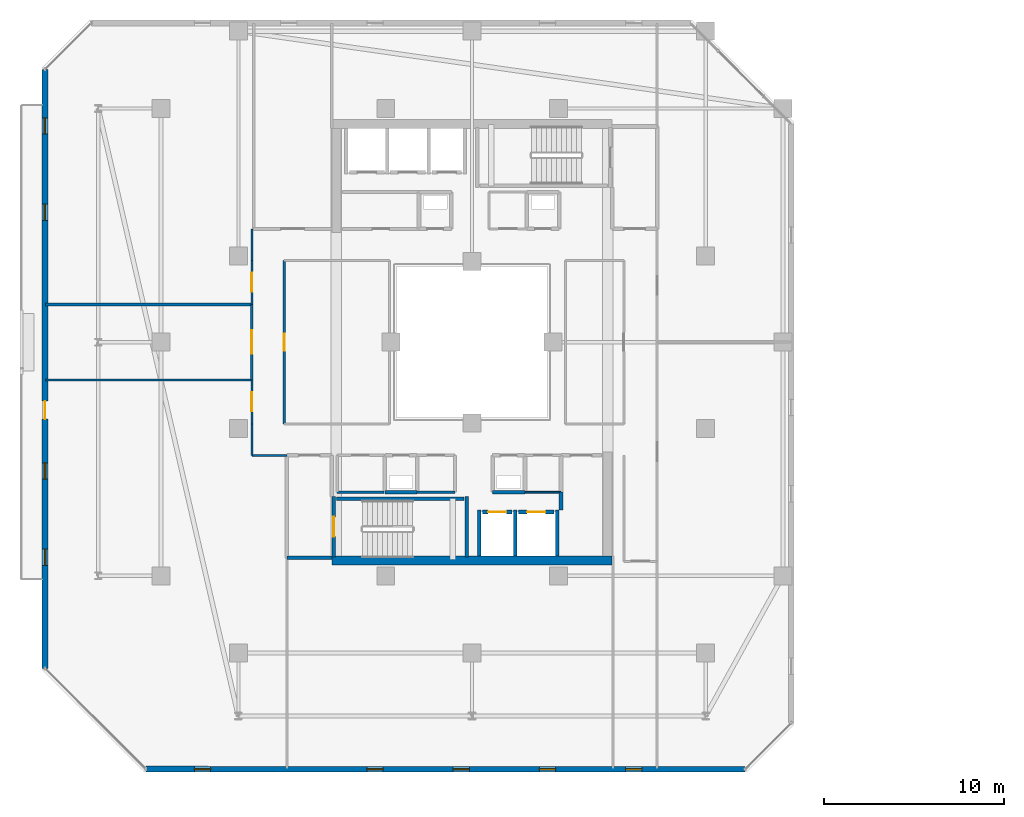
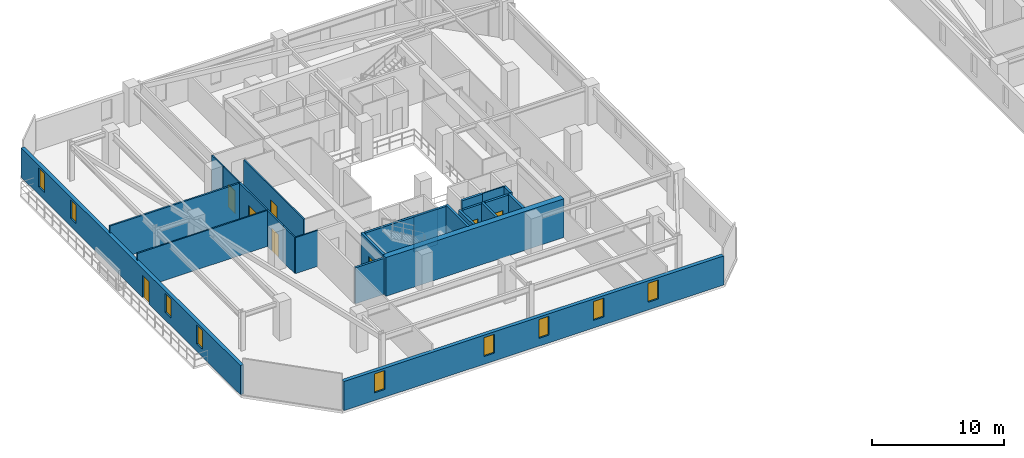
# One storey, part 18 of 31: 27 walls, 9 windows, 8 doors, 17 openings.
"""IFC4 building model written with IfcOpenShell, lengths in metres."""

import ifcopenshell
import ifcopenshell.guid

model = None  # the IFC model being written
_history = None  # IfcOwnerHistory: only IFC2X3 demands one
_inside = {}  # id of a spatial element -> (the spatial element, [elements in it])
_under = {}  # id of a project, library or spatial element -> (it, [spatial elements below it])
_declared = {}  # id of a project -> (the project, [libraries it declares])
_typed = {}  # id of a type object -> (the type object, [elements of that type])
_made_of = {}  # id of a material, layer set ... -> (it, [elements and type objects made of it])


def new_model(schema):
    """Start an empty IFC model of exactly this schema.

    Asked for "IFC4X3", IfcOpenShell would pick the latest addendum, in which some entities
    have other attributes; the version numbers below select the first issue.
    IFC2X3 requires an IfcOwnerHistory on every rooted entity: one is made here for all.
    """
    global model, _history
    if schema == "IFC4X3":
        model = ifcopenshell.file(schema_version=(4, 3, 0, 0))
    else:
        model = ifcopenshell.file(schema=schema)
    _inside.clear()
    _under.clear()
    _declared.clear()
    _typed.clear()
    _made_of.clear()
    _history = None
    if model.schema == "IFC2X3":
        org = make("IfcOrganization", Name="unknown")
        user = make(
            "IfcPersonAndOrganization",
            ThePerson=make("IfcPerson", FamilyName="unknown"),
            TheOrganization=org,
        )
        app = make(
            "IfcApplication",
            ApplicationDeveloper=org,
            Version="unknown",
            ApplicationFullName="unknown",
            ApplicationIdentifier="unknown",
        )
        _history = make(
            "IfcOwnerHistory",
            OwningUser=user,
            OwningApplication=app,
            ChangeAction="ADDED",
            CreationDate=0,
        )
    return model


def make(cls, **values):
    """One entity of the class cls with the attributes given. An attribute that is None is left unset."""
    return model.create_entity(
        cls, **{name: value for name, value in values.items() if value is not None}
    )


def rooted(cls, **values):
    """An entity with a GlobalId (a new one), such as an element, a storey or a relation."""
    return make(cls, GlobalId=ifcopenshell.guid.new(), OwnerHistory=_history, **values)


def si_unit(unit_type, name, prefix=None):
    """IfcSIUnit, for example si_unit("LENGTHUNIT", "METRE", prefix="MILLI")."""
    return make("IfcSIUnit", UnitType=unit_type, Prefix=prefix, Name=name)


def assignment(units):
    """IfcUnitAssignment: the units of a project."""
    return None if units is None else make("IfcUnitAssignment", Units=units)


def point(xyz):
    """IfcCartesianPoint."""
    return None if xyz is None else make("IfcCartesianPoint", Coordinates=xyz)


def direction(xyz):
    """IfcDirection."""
    return None if xyz is None else make("IfcDirection", DirectionRatios=xyz)


def frame(location, z_axis=None, x_axis=None):
    """IfcAxis2Placement3D, a coordinate frame: its origin and axes. An axis left out is left unset."""
    return make(
        "IfcAxis2Placement3D",
        Location=point(location),
        Axis=direction(z_axis),
        RefDirection=direction(x_axis),
    )


def frame_2d(location, x_axis=None):
    """IfcAxis2Placement2D, a coordinate frame in the plane: its origin and x axis."""
    return make(
        "IfcAxis2Placement2D", Location=point(location), RefDirection=direction(x_axis)
    )


def origin():
    """The frame at (0, 0, 0) with its axes left unset."""
    return frame((0.0, 0.0, 0.0))


def place(relative_to, where):
    """IfcLocalPlacement: puts the frame where relative to a parent placement (None: the world)."""
    return make(
        "IfcLocalPlacement", PlacementRelTo=relative_to, RelativePlacement=where
    )


def context(
    kind, dimensions, precision=None, world=None, true_north=None, identifier=None
):
    """IfcGeometricRepresentationContext, for example the 3D "Model" context."""
    return make(
        "IfcGeometricRepresentationContext",
        ContextIdentifier=identifier,
        ContextType=kind,
        CoordinateSpaceDimension=dimensions,
        Precision=precision,
        WorldCoordinateSystem=world,
        TrueNorth=true_north,
    )


def subcontext(parent, identifier, kind, view, scale=None):
    """IfcGeometricRepresentationSubContext, for example "Body" below "Model"."""
    return make(
        "IfcGeometricRepresentationSubContext",
        ContextIdentifier=identifier,
        ContextType=kind,
        ParentContext=parent,
        TargetScale=scale,
        TargetView=view,
    )


def project(units=None, contexts=None):
    """IfcProject with its units and contexts."""
    return rooted(
        "IfcProject",
        Name="project",
        RepresentationContexts=contexts,
        UnitsInContext=assignment(units),
    )


def spatial(cls, under=None, at=None, **own):
    """A site, building, storey or space (cls), placed at a placement, below another one or the project."""
    s = rooted(cls, ObjectPlacement=at, **own)
    if under is not None:
        _under.setdefault(under.id(), (under, []))[1].append(s)
    return s


def profile(cls, at=None, kind="AREA", **sizes):
    """A parametric profile (cls). Its sizes go by their IFC names, for example OverallWidth=200.0."""
    return make(cls, ProfileType=kind, Position=at, **sizes)


def rectangle(**sizes):
    """IfcRectangleProfileDef."""
    return profile("IfcRectangleProfileDef", **sizes)


def extrude(swept, where, along, depth):
    """IfcExtrudedAreaSolid: the profile swept, set in the frame where, extruded along a direction by depth."""
    return make(
        "IfcExtrudedAreaSolid",
        SweptArea=swept,
        Position=where,
        ExtrudedDirection=direction(along),
        Depth=depth,
    )


def shape(context_of_items, identifier, shape_type, items):
    """IfcShapeRepresentation: the items that make up one representation, for example the "Body"."""
    return make(
        "IfcShapeRepresentation",
        ContextOfItems=context_of_items,
        RepresentationIdentifier=identifier,
        RepresentationType=shape_type,
        Items=items,
    )


def material(Name=None, Category=None):
    """IfcMaterial."""
    return make("IfcMaterial", Name=Name, Category=Category)


def layer(
    of_material, thickness, ventilated=None, Name=None, Category=None, Priority=None
):
    """IfcMaterialLayer: one layer of a wall or slab, of a material (None: an air gap)."""
    return make(
        "IfcMaterialLayer",
        Material=of_material,
        LayerThickness=thickness,
        IsVentilated=ventilated,
        Name=Name,
        Category=Category,
        Priority=Priority,
    )


def layer_set(layers, Name=None):
    """IfcMaterialLayerSet."""
    return make("IfcMaterialLayerSet", MaterialLayers=layers, LayerSetName=Name)


def made_of(thing, what):
    """Note that an element or type object is made of a material, layer set ...; save() writes the relation."""
    if what is not None:
        _made_of.setdefault(what.id(), (what, []))[1].append(thing)
    return thing


def type_object(cls, material=None, **own):
    """A type object (cls), such as IfcWallType, which elements share."""
    return made_of(rooted(cls, **own), material)


def element(
    cls,
    number,
    at=None,
    inside=None,
    cuts=None,
    type_object=None,
    material=None,
    context=None,
    identifier="Body",
    shape_type=None,
    held_by="IfcProductDefinitionShape",
    body=None,
    shapes=None,
    **own,
):
    """One element of the class cls, such as IfcWall. Its Tag is "e" and its number.

    at: its placement. inside: the storey or other place that contains it. cuts: it is an
    opening in that element (IfcRelVoidsElement). A single representation is given by context,
    identifier, shape_type and body (its items); several are given by shapes. held_by: the class
    of the entity that holds the representations. save() writes the other relations.
    """
    e = rooted(cls, Tag="e%d" % number, ObjectPlacement=at, **own)
    if body is not None:
        shapes = [shape(context, identifier, shape_type, body)]
    if shapes is not None:
        e.Representation = make(held_by, Representations=shapes)
    if inside is not None:
        _inside.setdefault(inside.id(), (inside, []))[1].append(e)
    if cuts is not None:
        rooted(
            "IfcRelVoidsElement", RelatingBuildingElement=cuts, RelatedOpeningElement=e
        )
    if type_object is not None:
        _typed.setdefault(type_object.id(), (type_object, []))[1].append(e)
    return made_of(e, material)


def fill(opening, filler):
    """IfcRelFillsElement: the door or window that sits in an opening."""
    return rooted(
        "IfcRelFillsElement",
        RelatingOpeningElement=opening,
        RelatedBuildingElement=filler,
    )


def aggregate(whole, parts):
    """IfcRelAggregates: a whole, such as a stair, and the parts it consists of."""
    return rooted("IfcRelAggregates", RelatingObject=whole, RelatedObjects=parts)


def save(model, path):
    """Write the relations noted so far, then the file.

    IfcRelAggregates (storeys below a building ...), IfcRelContainedInSpatialStructure (elements
    in a storey), IfcRelDefinesByType, IfcRelAssociatesMaterial and IfcRelDeclares: one each for
    every whole, place, type object, material and project.
    """
    for whole, parts in _under.values():
        aggregate(whole, parts)
    for where, things in _inside.values():
        rooted(
            "IfcRelContainedInSpatialStructure",
            RelatedElements=things,
            RelatingStructure=where,
        )
    for kind, things in _typed.values():
        rooted("IfcRelDefinesByType", RelatedObjects=things, RelatingType=kind)
    for what, things in _made_of.values():
        rooted("IfcRelAssociatesMaterial", RelatedObjects=things, RelatingMaterial=what)
    for by, libraries in _declared.values():
        rooted("IfcRelDeclares", RelatingContext=by, RelatedDefinitions=libraries)
    model.write(path)


model = new_model("IFC4")

# Units and contexts
model_context = context("Model", 3, precision=1e-05, world=origin(), true_north=direction((0.0, 1.0)))
body_context = subcontext(model_context, "Body", "Model", "MODEL_VIEW")
ifc_project = project(units=[si_unit("LENGTHUNIT", "METRE"), si_unit("AREAUNIT", "SQUARE_METRE"), si_unit("VOLUMEUNIT", "CUBIC_METRE"), si_unit("PLANEANGLEUNIT", "RADIAN"), si_unit("MASSUNIT", "GRAM", prefix="KILO")], contexts=[model_context])

# Site, building, storey
site_placement = place(None, origin())
site = spatial("IfcSite", under=ifc_project, at=site_placement, CompositionType="ELEMENT")
building_placement = place(site_placement, origin())
building = spatial("IfcBuilding", under=site, at=building_placement, Name="Thornwick Lancets Civic Towers", CompositionType="ELEMENT")
storey_placement = place(building_placement, frame((0.0, 0.0, 236.699951171875)))
storey = spatial("IfcBuildingStorey", under=building, at=storey_placement, Name="L63", CompositionType="ELEMENT", Elevation=236.699951171875)

# Wall, opening, door
ifc_material_1 = material(Name="Concrete blockwork C40/50", Category="masonry")
ifc_layer_1 = layer(ifc_material_1, 0.199951171875, Name="Concrete blockwork C40/50")
ifc_layer_set_1 = layer_set([ifc_layer_1], Name="Concrete blockwork C40/50")
wall_type_1 = type_object("IfcWallType", Name="WALL_COMP_200", PredefinedType="STANDARD", material=ifc_layer_set_1)
wall_1_placement = place(storey_placement, frame((26.080078125, 17.550048828125, 0.0), z_axis=(0.0, 0.0, 1.0), x_axis=(1.0, 0.0, 0.0)))
wall_1 = element("IfcWall", 1, at=wall_1_placement, inside=storey, type_object=wall_type_1, Name="L63 Hoistway Front Wall FL-A1", PredefinedType="STANDARD", context=body_context, shape_type="SweptSolid", body=[
    extrude(rectangle(XDim=1.639892578125, YDim=0.199951171875, at=frame_2d((0.81982421875, 0.0))), origin(), (0.0, 0.0, 1.0), 3.340087890625),
])
opening_1_placement = place(wall_1_placement, frame((0.31005859375, 0.0, 0.0)))
opening_1 = element("IfcOpeningElement", 2, at=opening_1_placement, cuts=wall_1, Name="Opening LD-FL-A1", PredefinedType="OPENING", context=body_context, shape_type="SweptSolid", body=[
    extrude(rectangle(XDim=1.02001953125, YDim=2.06005859375, at=frame_2d((0.510009765625, 1.030029296875))), frame((0.0, 0.10986328125, 0.0), z_axis=(0.0, -1.0, 0.0), x_axis=(1.0, 0.0, 0.0)), (0.0, 0.0, 1.0), 0.219970703125),
])
ifc_material_2 = material(Name="Brushed bronze stainless steel", Category="steel")
door_type_1 = type_object("IfcDoorType", Name="DOOR_LIFT_SLIDE", OperationType="SLIDING_TO_LEFT", PredefinedType="DOOR", material=ifc_material_2)
door_1_placement = place(opening_1_placement, origin())
door_1 = element("IfcDoor", 3, at=door_1_placement, inside=storey, type_object=door_type_1, Name="L63 Sliding Lift Landing Door LD-FL-A1", OperationType="SLIDING_TO_LEFT", OverallHeight=2.06005859375, OverallWidth=1.02001953125, PredefinedType="DOOR", context=body_context, shape_type="SweptSolid", body=[
    extrude(rectangle(XDim=1.02001953125, YDim=2.06005859375, at=frame_2d((0.510009765625, 1.030029296875))), frame((0.0, 0.02490234375, 0.0), z_axis=(0.0, -1.0, 0.0), x_axis=(1.0, 0.0, 0.0)), (0.0, 0.0, 1.0), 0.050048828125),
])
fill(opening_1, door_1)

wall_2_placement = place(storey_placement, frame((28.080078125, 17.550048828125, 0.0), z_axis=(0.0, 0.0, 1.0), x_axis=(1.0, 0.0, 0.0)))
wall_2 = element("IfcWall", 4, at=wall_2_placement, inside=storey, type_object=wall_type_1, Name="L63 Hoistway Front Wall PL-AH1", PredefinedType="STANDARD", context=body_context, shape_type="SweptSolid", body=[
    extrude(rectangle(XDim=1.989990234375, YDim=0.199951171875, at=frame_2d((0.9951171875, 0.0))), origin(), (0.0, 0.0, 1.0), 3.340087890625),
])
opening_2_placement = place(wall_2_placement, frame((0.485107421875, 0.0, 0.0)))
opening_2 = element("IfcOpeningElement", 5, at=opening_2_placement, cuts=wall_2, Name="Opening LD-PL-AH1", PredefinedType="OPENING", context=body_context, shape_type="SweptSolid", body=[
    extrude(rectangle(XDim=1.02001953125, YDim=2.06005859375, at=frame_2d((0.510009765625, 1.030029296875))), frame((0.0, 0.10986328125, 0.0), z_axis=(0.0, -1.0, 0.0), x_axis=(1.0, 0.0, 0.0)), (0.0, 0.0, 1.0), 0.219970703125),
])
door_2_placement = place(opening_2_placement, origin())
door_2 = element("IfcDoor", 6, at=door_2_placement, inside=storey, type_object=door_type_1, Name="L63 Sliding Lift Landing Door LD-PL-AH1", OperationType="SLIDING_TO_LEFT", OverallHeight=2.06005859375, OverallWidth=1.02001953125, PredefinedType="DOOR", context=body_context, shape_type="SweptSolid", body=[
    extrude(rectangle(XDim=1.02001953125, YDim=2.06005859375, at=frame_2d((0.510009765625, 1.030029296875))), frame((0.0, 0.02490234375, 0.0), z_axis=(0.0, -1.0, 0.0), x_axis=(1.0, 0.0, 0.0)), (0.0, 0.0, 1.0), 0.050048828125),
])
fill(opening_2, door_2)

# Walls
for number, where, z_axis, x_axis, name in (
    (7, (27.89990234375, 15.112060546875, 0.0), (0.0, 0.0, 1.0), (0.0, 1.0, 0.0), "L63 Hoistway Shaft Wall FL-A1 E"),
    (8, (25.89990234375, 15.112060546875, 0.0), (0.0, 0.0, 1.0), (0.0, 1.0, 0.0), "L63 Hoistway Shaft Wall FL-A1 W"),
    (9, (30.25, 15.112060546875, 0.0), (0.0, 0.0, 1.0), (0.0, 1.0, 0.0), "L63 Hoistway Shaft Wall PL-AH1 E"),
):
    element("IfcWall", number, at=place(storey_placement, frame(where, z_axis=z_axis, x_axis=x_axis)), inside=storey, type_object=wall_type_1, Name=name, PredefinedType="STANDARD", context=body_context, shape_type="SweptSolid", body=[
        extrude(rectangle(XDim=2.535888671875, YDim=0.199951171875, at=frame_2d((1.26806640625, 0.0))), origin(), (0.0, 0.0, 1.0), 3.340087890625),
    ])
wall_3_placement = place(storey_placement, frame((15.199951171875, 15.0, 0.0), z_axis=(0.0, 0.0, 1.0), x_axis=(1.0, 0.0, 0.0)))
element("IfcWall", 10, at=wall_3_placement, inside=storey, type_object=wall_type_1, Name="L63 Partition L63-A-FFLOB1 E1", PredefinedType="STANDARD", context=body_context, shape_type="SweptSolid", body=[
    extrude(rectangle(XDim=2.5, YDim=0.199951171875, at=frame_2d((1.25, 0.0))), origin(), (0.0, 0.0, 1.0), 3.340087890625),
])
for number, where, z_axis, x_axis, name in (
    (11, (26.64990234375, 18.64990234375, 0.0), (0.0, 0.0, 1.0), (1.0, 0.0, 0.0), "L63 Partition L63-A-DUCT1 E1"),
    (12, (20.64990234375, 18.64990234375, 0.0), (0.0, 0.0, 1.0), (1.0, 0.0, 0.0), "L63 Partition L63-A-RISER1 E1"),
):
    element("IfcWall", number, at=place(storey_placement, frame(where, z_axis=z_axis, x_axis=x_axis)), inside=storey, type_object=wall_type_1, Name=name, PredefinedType="STANDARD", context=body_context, shape_type="SweptSolid", body=[
        extrude(rectangle(XDim=1.800048828125, YDim=0.199951171875, at=frame_2d((0.89990234375, 0.0))), origin(), (0.0, 0.0, 1.0), 3.340087890625),
    ])
wall_4_placement = place(storey_placement, frame((30.449951171875, 17.64794921875, 0.0), z_axis=(0.0, 0.0, 1.0), x_axis=(0.0, 1.0, 0.0)))
element("IfcWall", 13, at=wall_4_placement, inside=storey, type_object=wall_type_1, Name="L63 Partition L63-A-ITR2 E3", PredefinedType="STANDARD", context=body_context, shape_type="SweptSolid", body=[
    extrude(rectangle(XDim=1.001953125, YDim=0.199951171875, at=frame_2d((0.5009765625, 0.0))), origin(), (0.0, 0.0, 1.0), 3.340087890625),
])
ifc_material_3 = material(Name="Concrete C50/60", Category="concrete")
ifc_layer_2 = layer(ifc_material_3, 0.5, Name="Concrete C50/60")
ifc_layer_set_2 = layer_set([ifc_layer_2], Name="Concrete C50/60")
wall_type_2 = type_object("IfcWallType", Name="WALL_CORE_500", PredefinedType="SHEAR", material=ifc_layer_set_2)
wall_5_placement = place(storey_placement, frame((17.699951171875, 14.85009765625, 0.0), z_axis=(0.0, 0.0, 1.0), x_axis=(1.0, 0.0, 0.0)))
element("IfcWall", 14, at=wall_5_placement, inside=storey, type_object=wall_type_2, Name="L63 Split Core A1 Shear Wall S", PredefinedType="SHEAR", context=body_context, shape_type="SweptSolid", body=[
    extrude(rectangle(XDim=15.60009765625, YDim=0.5, at=frame_2d((7.800048828125, 0.0))), origin(), (0.0, 0.0, 1.0), 3.60009765625),
])

# Wall, openings, windows
ifc_material_4 = material(Name="Insulated buff terracotta rainscreen on concrete C40/50", Category="masonry")
ifc_layer_3 = layer(ifc_material_4, 0.320068359375, Name="Insulated buff terracotta rainscreen on concrete C40/50")
ifc_layer_set_3 = layer_set([ifc_layer_3], Name="Insulated buff terracotta rainscreen on concrete C40/50")
wall_type_3 = type_object("IfcWallType", Name="WALL_EXT_TERRA_320", PredefinedType="STANDARD", material=ifc_layer_set_3)
wall_6_placement = place(storey_placement, frame((7.35205078125, 3.245361328125, 0.0), z_axis=(0.0, 0.0, 1.0), x_axis=(0.999999954901, -0.000300328883, 0.0)))
wall_6 = element("IfcWall", 15, at=wall_6_placement, inside=storey, type_object=wall_type_3, Name="L63 Tower A Terracotta Facade Wall E0", PredefinedType="STANDARD", context=body_context, shape_type="SweptSolid", body=[
    extrude(rectangle(XDim=33.329345703125, YDim=0.320068359375, at=frame_2d((16.66455078125, 0.0))), origin(), (0.0, 0.0, 1.0), 2.699951171875),
])
opening_3_placement = place(wall_6_placement, frame((2.699951171875, 0.0, 0.719970703125)))
opening_3 = element("IfcOpeningElement", 16, at=opening_3_placement, cuts=wall_6, Name="Opening WL-01", PredefinedType="OPENING", context=body_context, shape_type="SweptSolid", body=[
    extrude(rectangle(XDim=0.89990234375, YDim=1.75, at=frame_2d((0.449951171875, 0.875))), frame((0.0, 0.169921875, 0.0), z_axis=(0.0, -1.0, 0.0), x_axis=(1.0, 0.0, 0.0)), (0.0, 0.0, 1.0), 0.340087890625),
])
opening_4_placement = place(wall_6_placement, frame((12.300048828125, 0.0, 0.719970703125)))
opening_4 = element("IfcOpeningElement", 17, at=opening_4_placement, cuts=wall_6, Name="Opening WL-01", PredefinedType="OPENING", context=body_context, shape_type="SweptSolid", body=[
    extrude(rectangle(XDim=0.89990234375, YDim=1.75, at=frame_2d((0.449951171875, 0.875))), frame((0.0, 0.169921875, 0.0), z_axis=(0.0, -1.0, 0.0), x_axis=(1.0, 0.0, 0.0)), (0.0, 0.0, 1.0), 0.340087890625),
])
opening_5_placement = place(wall_6_placement, frame((17.10009765625, 0.0, 0.719970703125)))
opening_5 = element("IfcOpeningElement", 18, at=opening_5_placement, cuts=wall_6, Name="Opening WL-01", PredefinedType="OPENING", context=body_context, shape_type="SweptSolid", body=[
    extrude(rectangle(XDim=0.89990234375, YDim=1.75, at=frame_2d((0.449951171875, 0.875))), frame((0.0, 0.169921875, 0.0), z_axis=(0.0, -1.0, 0.0), x_axis=(1.0, 0.0, 0.0)), (0.0, 0.0, 1.0), 0.340087890625),
])
opening_6_placement = place(wall_6_placement, frame((21.89990234375, 0.0, 0.719970703125)))
opening_6 = element("IfcOpeningElement", 19, at=opening_6_placement, cuts=wall_6, Name="Opening WL-01", PredefinedType="OPENING", context=body_context, shape_type="SweptSolid", body=[
    extrude(rectangle(XDim=0.89990234375, YDim=1.75, at=frame_2d((0.449951171875, 0.875))), frame((0.0, 0.169921875, 0.0), z_axis=(0.0, -1.0, 0.0), x_axis=(1.0, 0.0, 0.0)), (0.0, 0.0, 1.0), 0.340087890625),
])
opening_7_placement = place(wall_6_placement, frame((26.699951171875, 0.0, 0.719970703125)))
opening_7 = element("IfcOpeningElement", 20, at=opening_7_placement, cuts=wall_6, Name="Opening WL-01", PredefinedType="OPENING", context=body_context, shape_type="SweptSolid", body=[
    extrude(rectangle(XDim=0.89990234375, YDim=1.75, at=frame_2d((0.449951171875, 0.875))), frame((0.0, 0.169921875, 0.0), z_axis=(0.0, -1.0, 0.0), x_axis=(1.0, 0.0, 0.0)), (0.0, 0.0, 1.0), 0.340087890625),
])
ifc_material_5 = material(Name="Clear low-e double glazing in bronze frame", Category="glass")
window_type = type_object("IfcWindowType", Name="WIN_LANCET_900", PartitioningType="SINGLE_PANEL", PredefinedType="WINDOW", material=ifc_material_5)
window_1_placement = place(opening_3_placement, origin())
window_1 = element("IfcWindow", 21, at=window_1_placement, inside=storey, type_object=window_type, Name="L63 Tower A Staggered Lancet Window E0-1", OverallHeight=1.75, OverallWidth=0.89990234375, PartitioningType="SINGLE_PANEL", PredefinedType="WINDOW", context=body_context, shape_type="SweptSolid", body=[
    extrude(rectangle(XDim=0.89990234375, YDim=1.75, at=frame_2d((0.449951171875, 0.875))), frame((0.0, 0.030029296875, 0.0), z_axis=(0.0, -1.0, 0.0), x_axis=(1.0, 0.0, 0.0)), (0.0, 0.0, 1.0), 0.06005859375),
])
fill(opening_3, window_1)
window_2_placement = place(opening_4_placement, origin())
window_2 = element("IfcWindow", 22, at=window_2_placement, inside=storey, type_object=window_type, Name="L63 Tower A Staggered Lancet Window E0-2", OverallHeight=1.75, OverallWidth=0.89990234375, PartitioningType="SINGLE_PANEL", PredefinedType="WINDOW", context=body_context, shape_type="SweptSolid", body=[
    extrude(rectangle(XDim=0.89990234375, YDim=1.75, at=frame_2d((0.449951171875, 0.875))), frame((0.0, 0.030029296875, 0.0), z_axis=(0.0, -1.0, 0.0), x_axis=(1.0, 0.0, 0.0)), (0.0, 0.0, 1.0), 0.06005859375),
])
fill(opening_4, window_2)
window_3_placement = place(opening_5_placement, origin())
window_3 = element("IfcWindow", 23, at=window_3_placement, inside=storey, type_object=window_type, Name="L63 Tower A Staggered Lancet Window E0-3", OverallHeight=1.75, OverallWidth=0.89990234375, PartitioningType="SINGLE_PANEL", PredefinedType="WINDOW", context=body_context, shape_type="SweptSolid", body=[
    extrude(rectangle(XDim=0.89990234375, YDim=1.75, at=frame_2d((0.449951171875, 0.875))), frame((0.0, 0.030029296875, 0.0), z_axis=(0.0, -1.0, 0.0), x_axis=(1.0, 0.0, 0.0)), (0.0, 0.0, 1.0), 0.06005859375),
])
fill(opening_5, window_3)
window_4_placement = place(opening_6_placement, origin())
window_4 = element("IfcWindow", 24, at=window_4_placement, inside=storey, type_object=window_type, Name="L63 Tower A Staggered Lancet Window E0-4", OverallHeight=1.75, OverallWidth=0.89990234375, PartitioningType="SINGLE_PANEL", PredefinedType="WINDOW", context=body_context, shape_type="SweptSolid", body=[
    extrude(rectangle(XDim=0.89990234375, YDim=1.75, at=frame_2d((0.449951171875, 0.875))), frame((0.0, 0.030029296875, 0.0), z_axis=(0.0, -1.0, 0.0), x_axis=(1.0, 0.0, 0.0)), (0.0, 0.0, 1.0), 0.06005859375),
])
fill(opening_6, window_4)
window_5_placement = place(opening_7_placement, origin())
window_5 = element("IfcWindow", 25, at=window_5_placement, inside=storey, type_object=window_type, Name="L63 Tower A Staggered Lancet Window E0-5", OverallHeight=1.75, OverallWidth=0.89990234375, PartitioningType="SINGLE_PANEL", PredefinedType="WINDOW", context=body_context, shape_type="SweptSolid", body=[
    extrude(rectangle(XDim=0.89990234375, YDim=1.75, at=frame_2d((0.449951171875, 0.875))), frame((0.0, 0.030029296875, 0.0), z_axis=(0.0, -1.0, 0.0), x_axis=(1.0, 0.0, 0.0)), (0.0, 0.0, 1.0), 0.06005859375),
])
fill(opening_7, window_5)

# Wall, openings, door, windows
wall_7_placement = place(storey_placement, frame((1.7353515625, 42.181396484375, 0.0), z_axis=(0.0, 0.0, 1.0), x_axis=(0.000300328883, -0.999999954901, 0.0)))
wall_7 = element("IfcWall", 26, at=wall_7_placement, inside=storey, type_object=wall_type_3, Name="L63 Tower A Terracotta Facade Wall E6", PredefinedType="STANDARD", context=body_context, shape_type="SweptSolid", body=[
    extrude(rectangle(XDim=33.329345703125, YDim=0.320068359375, at=frame_2d((16.66455078125, 0.0))), origin(), (0.0, 0.0, 1.0), 2.699951171875),
])
opening_8_placement = place(wall_7_placement, frame((18.464599609375, 0.0, 0.0)))
opening_8 = element("IfcOpeningElement", 27, at=opening_8_placement, cuts=wall_7, Name="Opening D-BL-L63-AW", PredefinedType="OPENING", context=body_context, shape_type="SweptSolid", body=[
    extrude(rectangle(XDim=1.0, YDim=2.080078125, at=frame_2d((0.5, 1.0400390625))), frame((0.0, 0.169921875, 0.0), z_axis=(0.0, -1.0, 0.0), x_axis=(1.0, 0.0, 0.0)), (0.0, 0.0, 1.0), 0.340087890625),
])
opening_9_placement = place(wall_7_placement, frame((2.699951171875, 0.0, 0.719970703125)))
opening_9 = element("IfcOpeningElement", 28, at=opening_9_placement, cuts=wall_7, Name="Opening WL-01", PredefinedType="OPENING", context=body_context, shape_type="SweptSolid", body=[
    extrude(rectangle(XDim=0.89990234375, YDim=1.75, at=frame_2d((0.449951171875, 0.875))), frame((0.0, 0.169921875, 0.0), z_axis=(0.0, -1.0, 0.0), x_axis=(1.0, 0.0, 0.0)), (0.0, 0.0, 1.0), 0.340087890625),
])
opening_10_placement = place(wall_7_placement, frame((7.5, 0.0, 0.719970703125)))
opening_10 = element("IfcOpeningElement", 29, at=opening_10_placement, cuts=wall_7, Name="Opening WL-01", PredefinedType="OPENING", context=body_context, shape_type="SweptSolid", body=[
    extrude(rectangle(XDim=0.89990234375, YDim=1.75, at=frame_2d((0.449951171875, 0.875))), frame((0.0, 0.169921875, 0.0), z_axis=(0.0, -1.0, 0.0), x_axis=(1.0, 0.0, 0.0)), (0.0, 0.0, 1.0), 0.340087890625),
])
opening_11_placement = place(wall_7_placement, frame((21.89990234375, 0.0, 0.719970703125)))
opening_11 = element("IfcOpeningElement", 30, at=opening_11_placement, cuts=wall_7, Name="Opening WL-01", PredefinedType="OPENING", context=body_context, shape_type="SweptSolid", body=[
    extrude(rectangle(XDim=0.89990234375, YDim=1.75, at=frame_2d((0.449951171875, 0.875))), frame((0.0, 0.169921875, 0.0), z_axis=(0.0, -1.0, 0.0), x_axis=(1.0, 0.0, 0.0)), (0.0, 0.0, 1.0), 0.340087890625),
])
opening_12_placement = place(wall_7_placement, frame((26.699951171875, 0.0, 0.719970703125)))
opening_12 = element("IfcOpeningElement", 31, at=opening_12_placement, cuts=wall_7, Name="Opening WL-01", PredefinedType="OPENING", context=body_context, shape_type="SweptSolid", body=[
    extrude(rectangle(XDim=0.89990234375, YDim=1.75, at=frame_2d((0.449951171875, 0.875))), frame((0.0, 0.169921875, 0.0), z_axis=(0.0, -1.0, 0.0), x_axis=(1.0, 0.0, 0.0)), (0.0, 0.0, 1.0), 0.340087890625),
])
ifc_material_6 = material(Name="Thermally broken glazed loggia doorset")
door_type_2 = type_object("IfcDoorType", Name="DOOR_BALC_1000", OperationType="NOTDEFINED", PredefinedType="DOOR", material=ifc_material_6)
door_3_placement = place(opening_8_placement, origin())
door_3 = element("IfcDoor", 32, at=door_3_placement, inside=storey, type_object=door_type_2, Name="L63 Tower A Loggia Balcony Door W", OperationType="SINGLE_SWING_RIGHT", OverallHeight=2.080078125, OverallWidth=1.0, PredefinedType="DOOR", context=body_context, shape_type="SweptSolid", body=[
    extrude(rectangle(XDim=1.0, YDim=2.080078125, at=frame_2d((0.5, 1.0400390625))), frame((0.0, 0.02490234375, 0.0), z_axis=(0.0, -1.0, 0.0), x_axis=(1.0, 0.0, 0.0)), (0.0, 0.0, 1.0), 0.050048828125),
])
fill(opening_8, door_3)
window_6_placement = place(opening_9_placement, origin())
window_6 = element("IfcWindow", 33, at=window_6_placement, inside=storey, type_object=window_type, Name="L63 Tower A Staggered Lancet Window E6-1", OverallHeight=1.75, OverallWidth=0.89990234375, PartitioningType="SINGLE_PANEL", PredefinedType="WINDOW", context=body_context, shape_type="SweptSolid", body=[
    extrude(rectangle(XDim=0.89990234375, YDim=1.75, at=frame_2d((0.449951171875, 0.875))), frame((0.0, 0.030029296875, 0.0), z_axis=(0.0, -1.0, 0.0), x_axis=(1.0, 0.0, 0.0)), (0.0, 0.0, 1.0), 0.06005859375),
])
fill(opening_9, window_6)
window_7_placement = place(opening_10_placement, origin())
window_7 = element("IfcWindow", 34, at=window_7_placement, inside=storey, type_object=window_type, Name="L63 Tower A Staggered Lancet Window E6-2", OverallHeight=1.75, OverallWidth=0.89990234375, PartitioningType="SINGLE_PANEL", PredefinedType="WINDOW", context=body_context, shape_type="SweptSolid", body=[
    extrude(rectangle(XDim=0.89990234375, YDim=1.75, at=frame_2d((0.449951171875, 0.875))), frame((0.0, 0.030029296875, 0.0), z_axis=(0.0, -1.0, 0.0), x_axis=(1.0, 0.0, 0.0)), (0.0, 0.0, 1.0), 0.06005859375),
])
fill(opening_10, window_7)
window_8_placement = place(opening_11_placement, origin())
window_8 = element("IfcWindow", 35, at=window_8_placement, inside=storey, type_object=window_type, Name="L63 Tower A Staggered Lancet Window E6-3", OverallHeight=1.75, OverallWidth=0.89990234375, PartitioningType="SINGLE_PANEL", PredefinedType="WINDOW", context=body_context, shape_type="SweptSolid", body=[
    extrude(rectangle(XDim=0.89990234375, YDim=1.75, at=frame_2d((0.449951171875, 0.875))), frame((0.0, 0.030029296875, 0.0), z_axis=(0.0, -1.0, 0.0), x_axis=(1.0, 0.0, 0.0)), (0.0, 0.0, 1.0), 0.06005859375),
])
fill(opening_11, window_8)
window_9_placement = place(opening_12_placement, origin())
window_9 = element("IfcWindow", 36, at=window_9_placement, inside=storey, type_object=window_type, Name="L63 Tower A Staggered Lancet Window E6-4", OverallHeight=1.75, OverallWidth=0.89990234375, PartitioningType="SINGLE_PANEL", PredefinedType="WINDOW", context=body_context, shape_type="SweptSolid", body=[
    extrude(rectangle(XDim=0.89990234375, YDim=1.75, at=frame_2d((0.449951171875, 0.875))), frame((0.0, 0.030029296875, 0.0), z_axis=(0.0, -1.0, 0.0), x_axis=(1.0, 0.0, 0.0)), (0.0, 0.0, 1.0), 0.06005859375),
])
fill(opening_12, window_9)

# Walls
ifc_material_7 = material(Name="Lightweight cellular office partition")
ifc_layer_4 = layer(ifc_material_7, 0.10009765625, Name="Lightweight cellular office partition")
ifc_layer_set_4 = layer_set([ifc_layer_4], Name="Lightweight cellular office partition")
wall_type_4 = type_object("IfcWallType", Name="WALL_PART_100", PredefinedType="PARTITIONING", material=ifc_layer_set_4)
wall_8_placement = place(storey_placement, frame((30.449951171875, 18.64990234375, 0.0), z_axis=(0.0, 0.0, 1.0), x_axis=(-1.0, 0.0, 0.0)))
element("IfcWall", 37, at=wall_8_placement, inside=storey, type_object=wall_type_4, Name="L63 Partition L63-A-CLN E2", PredefinedType="PARTITIONING", context=body_context, shape_type="SweptSolid", body=[
    extrude(rectangle(XDim=2.0, YDim=0.10009765625, at=frame_2d((1.0, 0.0))), origin(), (0.0, 0.0, 1.0), 3.340087890625),
])
ifc_material_8 = material(Name="Acoustic gypsum board partition")
ifc_layer_5 = layer(ifc_material_8, 0.1201171875, Name="Acoustic gypsum board partition")
ifc_layer_set_5 = layer_set([ifc_layer_5], Name="Acoustic gypsum board partition")
wall_type_5 = type_object("IfcWallType", Name="WALL_PART_120", PredefinedType="PARTITIONING", material=ifc_layer_set_5)
wall_9_placement = place(storey_placement, frame((13.25, 22.449951171875, 0.0), z_axis=(0.0, 0.0, 1.0), x_axis=(0.0, -1.0, 0.0)))
element("IfcWall", 38, at=wall_9_placement, inside=storey, type_object=wall_type_5, Name="L63 Partition L63-A-W1 E1", PredefinedType="PARTITIONING", context=body_context, shape_type="SweptSolid", body=[
    extrude(rectangle(XDim=1.75, YDim=0.1201171875, at=frame_2d((0.875, 0.0))), origin(), (0.0, 0.0, 1.0), 3.340087890625),
])
wall_10_placement = place(storey_placement, frame((13.25, 20.699951171875, 0.0), z_axis=(0.0, 0.0, 1.0), x_axis=(1.0, 0.0, 0.0)))
element("IfcWall", 39, at=wall_10_placement, inside=storey, type_object=wall_type_5, Name="L63 Partition L63-A-W1 E2", PredefinedType="PARTITIONING", context=body_context, shape_type="SweptSolid", body=[
    extrude(rectangle(XDim=1.949951171875, YDim=0.1201171875, at=frame_2d((0.97509765625, 0.0))), origin(), (0.0, 0.0, 1.0), 3.340087890625),
])
wall_11_placement = place(storey_placement, frame((1.780029296875, 24.89990234375, 0.0), z_axis=(0.0, 0.0, 1.0), x_axis=(1.0, 0.0, 0.0)))
element("IfcWall", 40, at=wall_11_placement, inside=storey, type_object=wall_type_5, Name="L63 Partition L63-A-W1 E8", PredefinedType="PARTITIONING", context=body_context, shape_type="SweptSolid", body=[
    extrude(rectangle(XDim=11.469970703125, YDim=0.1201171875, at=frame_2d((5.73486328125, 0.0))), origin(), (0.0, 0.0, 1.0), 3.340087890625),
])

# Wall, opening, door
wall_12_placement = place(storey_placement, frame((13.25, 24.89990234375, 0.0), z_axis=(0.0, 0.0, 1.0), x_axis=(0.0, -1.0, 0.0)))
wall_12 = element("IfcWall", 41, at=wall_12_placement, inside=storey, type_object=wall_type_5, Name="L63 Partition L63-A-W1 E9", PredefinedType="PARTITIONING", context=body_context, shape_type="SweptSolid", body=[
    extrude(rectangle(XDim=2.449951171875, YDim=0.1201171875, at=frame_2d((1.22509765625, 0.0))), origin(), (0.0, 0.0, 1.0), 3.340087890625),
])
opening_13_placement = place(wall_12_placement, frame((0.699951171875, 0.0, 0.0)))
opening_13 = element("IfcOpeningElement", 42, at=opening_13_placement, cuts=wall_12, Name="Opening D-L63-2853", PredefinedType="OPENING", context=body_context, shape_type="SweptSolid", body=[
    extrude(rectangle(XDim=1.050048828125, YDim=2.10009765625, at=frame_2d((0.52490234375, 1.050048828125))), frame((0.0, 0.070068359375, 0.0), z_axis=(0.0, -1.0, 0.0), x_axis=(1.0, 0.0, 0.0)), (0.0, 0.0, 1.0), 0.14013671875),
])
ifc_material_9 = material(Name="Glazed European oak executive doorset")
door_type_3 = type_object("IfcDoorType", Name="DOOR_OFFICE_1050", OperationType="NOTDEFINED", PredefinedType="DOOR", material=ifc_material_9)
door_4_placement = place(opening_13_placement, origin())
door_4 = element("IfcDoor", 43, at=door_4_placement, inside=storey, type_object=door_type_3, Name="L63 Tower A Ministry Directorate Office W1 Door", OperationType="SINGLE_SWING_RIGHT", OverallHeight=2.10009765625, OverallWidth=1.050048828125, PredefinedType="DOOR", context=body_context, shape_type="SweptSolid", body=[
    extrude(rectangle(XDim=1.050048828125, YDim=2.10009765625, at=frame_2d((0.52490234375, 1.050048828125))), frame((0.0, 0.02490234375, 0.0), z_axis=(0.0, -1.0, 0.0), x_axis=(1.0, 0.0, 0.0)), (0.0, 0.0, 1.0), 0.050048828125),
])
fill(opening_13, door_4)

# Wall
wall_13_placement = place(storey_placement, frame((13.25, 33.300048828125, 0.0), z_axis=(0.0, 0.0, 1.0), x_axis=(0.0, -1.0, 0.0)))
element("IfcWall", 44, at=wall_13_placement, inside=storey, type_object=wall_type_5, Name="L63 Partition L63-A-W2B E5", PredefinedType="PARTITIONING", context=body_context, shape_type="SweptSolid", body=[
    extrude(rectangle(XDim=1.75, YDim=0.1201171875, at=frame_2d((0.875, 0.0))), origin(), (0.0, 0.0, 1.0), 3.340087890625),
])

# Wall, opening, door
wall_14_placement = place(storey_placement, frame((13.25, 31.550048828125, 0.0), z_axis=(0.0, 0.0, 1.0), x_axis=(0.0, -1.0, 0.0)))
wall_14 = element("IfcWall", 45, at=wall_14_placement, inside=storey, type_object=wall_type_5, Name="L63 Partition L63-A-W2B E6", PredefinedType="PARTITIONING", context=body_context, shape_type="SweptSolid", body=[
    extrude(rectangle(XDim=2.449951171875, YDim=0.1201171875, at=frame_2d((1.22509765625, 0.0))), origin(), (0.0, 0.0, 1.0), 3.340087890625),
])
opening_14_placement = place(wall_14_placement, frame((0.699951171875, 0.0, 0.0)))
opening_14 = element("IfcOpeningElement", 46, at=opening_14_placement, cuts=wall_14, Name="Opening D-L63-2855", PredefinedType="OPENING", context=body_context, shape_type="SweptSolid", body=[
    extrude(rectangle(XDim=1.050048828125, YDim=2.10009765625, at=frame_2d((0.52490234375, 1.050048828125))), frame((0.0, 0.070068359375, 0.0), z_axis=(0.0, -1.0, 0.0), x_axis=(1.0, 0.0, 0.0)), (0.0, 0.0, 1.0), 0.14013671875),
])
door_5_placement = place(opening_14_placement, origin())
door_5 = element("IfcDoor", 47, at=door_5_placement, inside=storey, type_object=door_type_3, Name="L63 Tower A Parliamentary Casework Suite W2B Door", OperationType="SINGLE_SWING_RIGHT", OverallHeight=2.10009765625, OverallWidth=1.050048828125, PredefinedType="DOOR", context=body_context, shape_type="SweptSolid", body=[
    extrude(rectangle(XDim=1.050048828125, YDim=2.10009765625, at=frame_2d((0.52490234375, 1.050048828125))), frame((0.0, 0.02490234375, 0.0), z_axis=(0.0, -1.0, 0.0), x_axis=(1.0, 0.0, 0.0)), (0.0, 0.0, 1.0), 0.050048828125),
])
fill(opening_14, door_5)

wall_15_placement = place(storey_placement, frame((15.050048828125, 22.449951171875, 0.0), z_axis=(0.0, 0.0, 1.0), x_axis=(0.0, 1.0, 0.0)))
wall_15 = element("IfcWall", 48, at=wall_15_placement, inside=storey, type_object=wall_type_5, Name="L63 Partition L63-A-W3 E1", PredefinedType="PARTITIONING", context=body_context, shape_type="SweptSolid", body=[
    extrude(rectangle(XDim=9.10009765625, YDim=0.1201171875, at=frame_2d((4.550048828125, 0.0))), origin(), (0.0, 0.0, 1.0), 3.340087890625),
])
opening_15_placement = place(wall_15_placement, frame((4.074951171875, 0.0, 0.0)))
opening_15 = element("IfcOpeningElement", 49, at=opening_15_placement, cuts=wall_15, Name="Opening D-L63-2856", PredefinedType="OPENING", context=body_context, shape_type="SweptSolid", body=[
    extrude(rectangle(XDim=0.949951171875, YDim=2.10009765625, at=frame_2d((0.47509765625, 1.050048828125))), frame((0.0, 0.070068359375, 0.0), z_axis=(0.0, -1.0, 0.0), x_axis=(1.0, 0.0, 0.0)), (0.0, 0.0, 1.0), 0.14013671875),
])
ifc_material_10 = material(Name="European oak acoustic doorset")
door_type_4 = type_object("IfcDoorType", Name="DOOR_OFFICE_950", OperationType="NOTDEFINED", PredefinedType="DOOR", material=ifc_material_10)
door_6_placement = place(opening_15_placement, origin())
door_6 = element("IfcDoor", 50, at=door_6_placement, inside=storey, type_object=door_type_4, Name="L63 Tower A West Atrium Gallery Suite Door", OperationType="SINGLE_SWING_LEFT", OverallHeight=2.10009765625, OverallWidth=0.949951171875, PredefinedType="DOOR", context=body_context, shape_type="SweptSolid", body=[
    extrude(rectangle(XDim=0.949951171875, YDim=2.10009765625, at=frame_2d((0.47509765625, 1.050048828125))), frame((0.0, 0.02490234375, 0.0), z_axis=(0.0, -1.0, 0.0), x_axis=(1.0, 0.0, 0.0)), (0.0, 0.0, 1.0), 0.050048828125),
])
fill(opening_15, door_6)

# Walls
ifc_material_11 = material(Name="Twin-stud acoustic gypsum board")
ifc_layer_6 = layer(ifc_material_11, 0.14990234375, Name="Twin-stud acoustic gypsum board")
ifc_layer_set_6 = layer_set([ifc_layer_6], Name="Twin-stud acoustic gypsum board")
wall_type_6 = type_object("IfcWallType", Name="WALL_PART_150", PredefinedType="PARTITIONING", material=ifc_layer_set_6)
wall_16_placement = place(storey_placement, frame((18.0, 18.64990234375, 0.0), z_axis=(0.0, 0.0, 1.0), x_axis=(1.0, 0.0, 0.0)))
element("IfcWall", 51, at=wall_16_placement, inside=storey, type_object=wall_type_6, Name="L63 Partition L63-A-MWC E1", PredefinedType="PARTITIONING", context=body_context, shape_type="SweptSolid", body=[
    extrude(rectangle(XDim=2.60009765625, YDim=0.14990234375, at=frame_2d((1.300048828125, 0.0))), origin(), (0.0, 0.0, 1.0), 3.340087890625),
])
wall_17_placement = place(storey_placement, frame((24.550048828125, 18.64990234375, 0.0), z_axis=(0.0, 0.0, 1.0), x_axis=(-1.0, 0.0, 0.0)))
element("IfcWall", 52, at=wall_17_placement, inside=storey, type_object=wall_type_6, Name="L63 Partition L63-A-AWC E2", PredefinedType="PARTITIONING", context=body_context, shape_type="SweptSolid", body=[
    extrude(rectangle(XDim=2.10009765625, YDim=0.14990234375, at=frame_2d((1.050048828125, 0.0))), origin(), (0.0, 0.0, 1.0), 3.340087890625),
])
wall_18_placement = place(storey_placement, frame((1.780029296875, 29.10009765625, 0.0), z_axis=(0.0, 0.0, 1.0), x_axis=(1.0, 0.0, 0.0)))
element("IfcWall", 53, at=wall_18_placement, inside=storey, type_object=wall_type_6, Name="L63 Partition L63-A-W2 E3", PredefinedType="PARTITIONING", context=body_context, shape_type="SweptSolid", body=[
    extrude(rectangle(XDim=11.469970703125, YDim=0.14990234375, at=frame_2d((5.73486328125, 0.0))), origin(), (0.0, 0.0, 1.0), 3.340087890625),
])

# Wall, opening, door
wall_19_placement = place(storey_placement, frame((13.25, 29.10009765625, 0.0), z_axis=(0.0, 0.0, 1.0), x_axis=(0.0, -1.0, 0.0)))
wall_19 = element("IfcWall", 54, at=wall_19_placement, inside=storey, type_object=wall_type_6, Name="L63 Partition L63-A-W2 E4", PredefinedType="PARTITIONING", context=body_context, shape_type="SweptSolid", body=[
    extrude(rectangle(XDim=4.2001953125, YDim=0.14990234375, at=frame_2d((2.10009765625, 0.0))), origin(), (0.0, 0.0, 1.0), 3.340087890625),
])
opening_16_placement = place(wall_19_placement, frame((1.449951171875, 0.0, 0.0)))
opening_16 = element("IfcOpeningElement", 55, at=opening_16_placement, cuts=wall_19, Name="Opening D-L63-2854", PredefinedType="OPENING", context=body_context, shape_type="SweptSolid", body=[
    extrude(rectangle(XDim=1.300048828125, YDim=2.1201171875, at=frame_2d((0.64990234375, 1.06005859375))), frame((0.0, 0.0849609375, 0.0), z_axis=(0.0, -1.0, 0.0), x_axis=(1.0, 0.0, 0.0)), (0.0, 0.0, 1.0), 0.169921875),
])
ifc_material_12 = material(Name="Acoustic oak leaf-and-a-half doorset")
door_type_5 = type_object("IfcDoorType", Name="DOOR_MEET_1300", OperationType="DOUBLE_DOOR_SINGLE_SWING", PredefinedType="DOOR", material=ifc_material_12)
door_7_placement = place(opening_16_placement, origin())
door_7 = element("IfcDoor", 56, at=door_7_placement, inside=storey, type_object=door_type_5, Name="L63 Tower A Policy Briefing Room W2 Door", OperationType="DOUBLE_DOOR_SINGLE_SWING", OverallHeight=2.1201171875, OverallWidth=1.300048828125, PredefinedType="DOOR", context=body_context, shape_type="SweptSolid", body=[
    extrude(rectangle(XDim=1.300048828125, YDim=2.1201171875, at=frame_2d((0.64990234375, 1.06005859375))), frame((0.0, 0.02490234375, 0.0), z_axis=(0.0, -1.0, 0.0), x_axis=(1.0, 0.0, 0.0)), (0.0, 0.0, 1.0), 0.050048828125),
])
fill(opening_16, door_7)

ifc_material_13 = material(Name="Concrete C40/50", Category="concrete")
ifc_layer_7 = layer(ifc_material_13, 0.199951171875, Name="Concrete C40/50")
ifc_layer_set_7 = layer_set([ifc_layer_7], Name="Concrete C40/50")
wall_type_7 = type_object("IfcWallType", Name="WALL_SHAFT_200", PredefinedType="SHEAR", material=ifc_layer_set_7)
wall_20_placement = place(storey_placement, frame((17.800048828125, 15.050048828125, 0.0), z_axis=(0.0, 0.0, 1.0), x_axis=(0.0, 1.0, 0.0)))
wall_20 = element("IfcWall", 57, at=wall_20_placement, inside=storey, type_object=wall_type_7, Name="L63 ST-A1 Fire Stair Core Wall NEAR", PredefinedType="SHEAR", context=body_context, shape_type="SweptSolid", body=[
    extrude(rectangle(XDim=3.349853515625, YDim=0.199951171875, at=frame_2d((1.6748046875, 0.0))), origin(), (0.0, 0.0, 1.0), 3.60009765625),
])
opening_17_placement = place(wall_20_placement, frame((1.125, 0.0, 0.0)))
opening_17 = element("IfcOpeningElement", 58, at=opening_17_placement, cuts=wall_20, Name="Opening D-ST-A1-L63", PredefinedType="OPENING", context=body_context, shape_type="SweptSolid", body=[
    extrude(rectangle(XDim=1.10009765625, YDim=2.10009765625, at=frame_2d((0.550048828125, 1.050048828125))), frame((0.0, 0.10986328125, 0.0), z_axis=(0.0, -1.0, 0.0), x_axis=(1.0, 0.0, 0.0)), (0.0, 0.0, 1.0), 0.219970703125),
])
ifc_material_14 = material(Name="Fire-resisting steel and hardwood", Category="steel")
door_type_6 = type_object("IfcDoorType", Name="DOOR_STAIR_FD60", OperationType="NOTDEFINED", PredefinedType="DOOR", material=ifc_material_14)
door_8_placement = place(opening_17_placement, origin())
door_8 = element("IfcDoor", 59, at=door_8_placement, inside=storey, type_object=door_type_6, Name="L63 ST-A1 Exit Stair Door", OperationType="SINGLE_SWING_RIGHT", OverallHeight=2.10009765625, OverallWidth=1.10009765625, PredefinedType="DOOR", context=body_context, shape_type="SweptSolid", body=[
    extrude(rectangle(XDim=1.10009765625, YDim=2.10009765625, at=frame_2d((0.550048828125, 1.050048828125))), frame((0.0, 0.02490234375, 0.0), z_axis=(0.0, -1.0, 0.0), x_axis=(1.0, 0.0, 0.0)), (0.0, 0.0, 1.0), 0.050048828125),
])
fill(opening_17, door_8)

# Walls
wall_21_placement = place(storey_placement, frame((25.199951171875, 18.39990234375, 0.0), z_axis=(0.0, 0.0, 1.0), x_axis=(0.0, -1.0, 0.0)))
element("IfcWall", 60, at=wall_21_placement, inside=storey, type_object=wall_type_7, Name="L63 ST-A1 Fire Stair Core Wall FAR", PredefinedType="SHEAR", context=body_context, shape_type="SweptSolid", body=[
    extrude(rectangle(XDim=3.349853515625, YDim=0.199951171875, at=frame_2d((1.6748046875, 0.0))), origin(), (0.0, 0.0, 1.0), 3.60009765625),
])
wall_22_placement = place(storey_placement, frame((25.050048828125, 18.297119140625, 0.0), z_axis=(0.0, 0.0, 1.0), x_axis=(-1.0, 0.0, 0.0)))
element("IfcWall", 61, at=wall_22_placement, inside=storey, type_object=wall_type_7, Name="L63 ST-A1 Fire Stair Core Wall RIGHT", PredefinedType="SHEAR", context=body_context, shape_type="SweptSolid", body=[
    extrude(rectangle(XDim=7.10009765625, YDim=0.199951171875, at=frame_2d((3.550048828125, 0.0))), origin(), (0.0, 0.0, 1.0), 3.60009765625),
])

save(model, "model.ifc")
